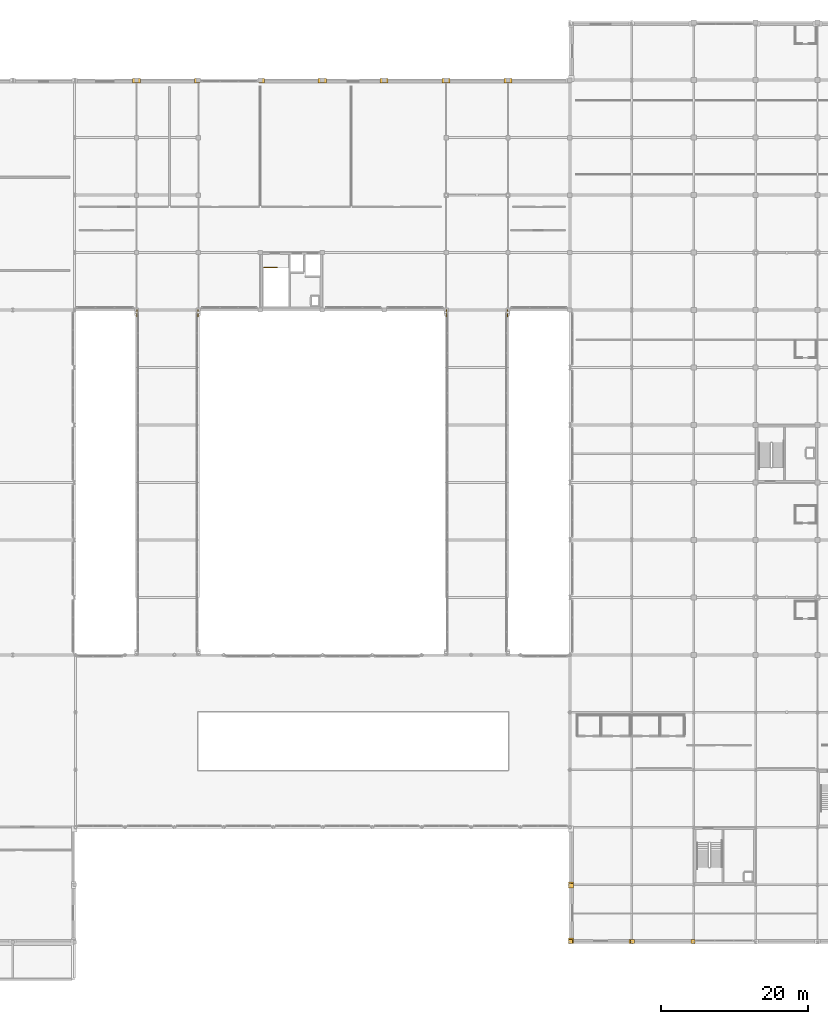
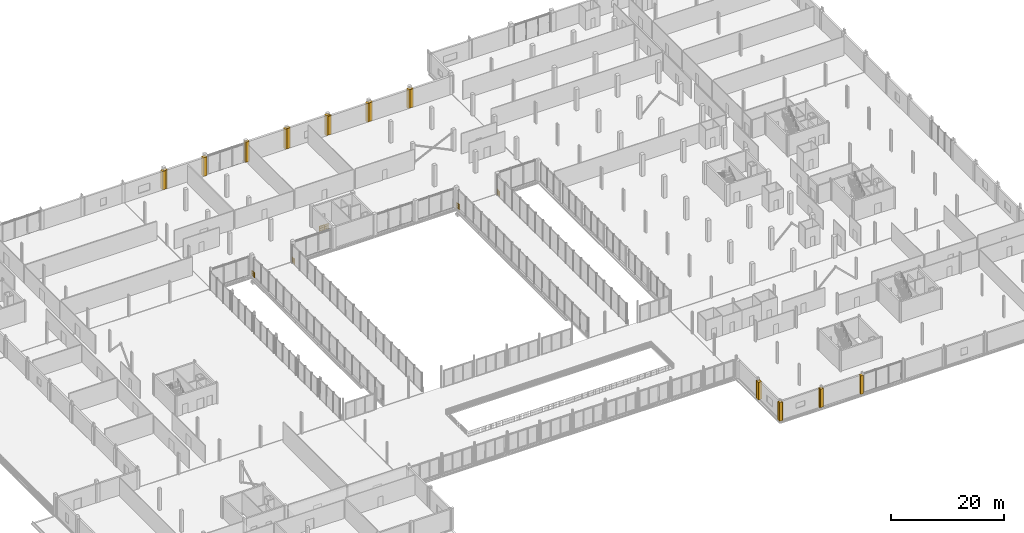
# One storey, part 94 of 98: 19 coverings, 5 railings.
"""IFC4 building model written with IfcOpenShell, lengths in metres."""

from ifc_helpers import new_model, si_unit, direction, frame, origin, origin_2d, place, context, subcontext, project, spatial, polyline, circle, outline, extrude, material, layer, layer_set, type_object, element, save


model = new_model("IFC4")

# Units and contexts
model_context = context("Model", 3, precision=1e-05, world=origin(), true_north=direction((0.0, 1.0)))
body_context = subcontext(model_context, "Body", "Model", "MODEL_VIEW")
ifc_project = project(units=[si_unit("LENGTHUNIT", "METRE"), si_unit("AREAUNIT", "SQUARE_METRE"), si_unit("VOLUMEUNIT", "CUBIC_METRE"), si_unit("PLANEANGLEUNIT", "RADIAN"), si_unit("MASSUNIT", "GRAM", prefix="KILO")], contexts=[model_context])

# Site, building, storey
site_placement = place(None, origin())
site = spatial("IfcSite", under=ifc_project, at=site_placement, CompositionType="ELEMENT")
building_placement = place(site_placement, origin())
building = spatial("IfcBuilding", under=site, at=building_placement, Name="Nabrawat Pavilion Hospital", CompositionType="ELEMENT")
storey_placement = place(building_placement, frame((0.0, 0.0, 10.199951171875)))
storey = spatial("IfcBuildingStorey", under=building, at=storey_placement, Name="L02", CompositionType="ELEMENT", Elevation=10.199951171875)

# Coverings
ifc_material_1 = material(Name="Precast concrete C40/50", Category="concrete")
ifc_layer_1 = layer(ifc_material_1, 0.360107421875, Name="Precast concrete C40/50")
ifc_layer_set_1 = layer_set([ifc_layer_1], Name="Precast concrete C40/50")
covering_type = type_object("IfcCoveringType", Name="Architectural Precast Column-Jamb Closure Reveal", PredefinedType="CLADDING", material=ifc_layer_set_1)
covering_1_placement = place(storey_placement, origin())
element("IfcCovering", 1, at=covering_1_placement, inside=storey, type_object=covering_type, Name="L02 Precast Facade Column-Jamb Weatherseal Closure 0356", PredefinedType="CLADDING", context=body_context, shape_type="SweptSolid", body=[
    extrude(outline(polyline([(67.39501953125, 116.5849609375), (67.39501953125, 117.195068359375), (66.655029296875, 117.195068359375), (66.655029296875, 116.5849609375), (67.39501953125, 116.5849609375)])), origin(), (0.0, 0.0, 1.0), 4.010009765625),
])
covering_2_placement = place(storey_placement, origin())
element("IfcCovering", 2, at=covering_2_placement, inside=storey, type_object=covering_type, Name="L02 Precast Facade Column-Jamb Weatherseal Closure 0357", PredefinedType="CLADDING", context=body_context, shape_type="SweptSolid", body=[
    extrude(outline(polyline([(67.7451171875, 116.5849609375), (67.7451171875, 117.195068359375), (67.0048828125, 117.195068359375), (67.0048828125, 116.5849609375), (67.7451171875, 116.5849609375)])), origin(), (0.0, 0.0, 1.0), 4.0400390625),
])
covering_3_placement = place(storey_placement, origin())
element("IfcCovering", 3, at=covering_3_placement, inside=storey, type_object=covering_type, Name="L02 Precast Facade Column-Jamb Weatherseal Closure 0358", PredefinedType="CLADDING", context=body_context, shape_type="SweptSolid", body=[
    extrude(outline(polyline([(75.794921875, 116.5849609375), (75.794921875, 117.195068359375), (75.054931640625, 117.195068359375), (75.054931640625, 116.5849609375), (75.794921875, 116.5849609375)])), origin(), (0.0, 0.0, 1.0), 4.0400390625),
])
covering_4_placement = place(storey_placement, origin())
element("IfcCovering", 4, at=covering_4_placement, inside=storey, type_object=covering_type, Name="L02 Precast Facade Column-Jamb Weatherseal Closure 0359", PredefinedType="CLADDING", context=body_context, shape_type="SweptSolid", body=[
    extrude(outline(polyline([(84.544921875, 116.5849609375), (84.544921875, 117.195068359375), (83.804931640625, 117.195068359375), (83.804931640625, 116.5849609375), (84.544921875, 116.5849609375)])), origin(), (0.0, 0.0, 1.0), 4.3701171875),
])
covering_5_placement = place(storey_placement, origin())
element("IfcCovering", 5, at=covering_5_placement, inside=storey, type_object=covering_type, Name="L02 Precast Facade Column-Jamb Weatherseal Closure 0360", PredefinedType="CLADDING", context=body_context, shape_type="SweptSolid", body=[
    extrude(outline(polyline([(92.594970703125, 116.5849609375), (92.594970703125, 117.195068359375), (91.85498046875, 117.195068359375), (91.85498046875, 116.5849609375), (92.594970703125, 116.5849609375)])), origin(), (0.0, 0.0, 1.0), 4.3701171875),
])
covering_6_placement = place(storey_placement, origin())
element("IfcCovering", 6, at=covering_6_placement, inside=storey, type_object=covering_type, Name="L02 Precast Facade Column-Jamb Weatherseal Closure 0361", PredefinedType="CLADDING", context=body_context, shape_type="SweptSolid", body=[
    extrude(outline(polyline([(92.945068359375, 116.5849609375), (92.945068359375, 117.195068359375), (92.205078125, 117.195068359375), (92.205078125, 116.5849609375), (92.945068359375, 116.5849609375)])), origin(), (0.0, 0.0, 1.0), 4.3701171875),
])
covering_7_placement = place(storey_placement, origin())
element("IfcCovering", 7, at=covering_7_placement, inside=storey, type_object=covering_type, Name="L02 Precast Facade Column-Jamb Weatherseal Closure 0362", PredefinedType="CLADDING", context=body_context, shape_type="SweptSolid", body=[
    extrude(outline(polyline([(100.9951171875, 116.5849609375), (100.9951171875, 117.195068359375), (100.2548828125, 117.195068359375), (100.2548828125, 116.5849609375), (100.9951171875, 116.5849609375)])), origin(), (0.0, 0.0, 1.0), 4.3701171875),
])
covering_8_placement = place(storey_placement, origin())
element("IfcCovering", 8, at=covering_8_placement, inside=storey, type_object=covering_type, Name="L02 Precast Facade Column-Jamb Weatherseal Closure 0363", PredefinedType="CLADDING", context=body_context, shape_type="SweptSolid", body=[
    extrude(outline(polyline([(101.344970703125, 116.5849609375), (101.344970703125, 117.195068359375), (100.60498046875, 117.195068359375), (100.60498046875, 116.5849609375), (101.344970703125, 116.5849609375)])), origin(), (0.0, 0.0, 1.0), 4.0400390625),
])
covering_9_placement = place(storey_placement, origin())
element("IfcCovering", 9, at=covering_9_placement, inside=storey, type_object=covering_type, Name="L02 Precast Facade Column-Jamb Weatherseal Closure 0364", PredefinedType="CLADDING", context=body_context, shape_type="SweptSolid", body=[
    extrude(outline(polyline([(109.39501953125, 116.5849609375), (109.39501953125, 117.195068359375), (108.655029296875, 117.195068359375), (108.655029296875, 116.5849609375), (109.39501953125, 116.5849609375)])), origin(), (0.0, 0.0, 1.0), 4.0400390625),
])
covering_10_placement = place(storey_placement, origin())
element("IfcCovering", 10, at=covering_10_placement, inside=storey, type_object=covering_type, Name="L02 Precast Facade Column-Jamb Weatherseal Closure 0365", PredefinedType="CLADDING", context=body_context, shape_type="SweptSolid", body=[
    extrude(outline(polyline([(109.7451171875, 116.5849609375), (109.7451171875, 117.195068359375), (109.0048828125, 117.195068359375), (109.0048828125, 116.5849609375), (109.7451171875, 116.5849609375)])), origin(), (0.0, 0.0, 1.0), 4.0400390625),
])
covering_11_placement = place(storey_placement, origin())
element("IfcCovering", 11, at=covering_11_placement, inside=storey, type_object=covering_type, Name="L02 Precast Facade Column-Jamb Weatherseal Closure 0366", PredefinedType="CLADDING", context=body_context, shape_type="SweptSolid", body=[
    extrude(outline(polyline([(117.794921875, 116.5849609375), (117.794921875, 117.195068359375), (117.054931640625, 117.195068359375), (117.054931640625, 116.5849609375), (117.794921875, 116.5849609375)])), origin(), (0.0, 0.0, 1.0), 4.0400390625),
])
covering_12_placement = place(storey_placement, origin())
element("IfcCovering", 12, at=covering_12_placement, inside=storey, type_object=covering_type, Name="L02 Precast Facade Column-Jamb Weatherseal Closure 0367", PredefinedType="CLADDING", context=body_context, shape_type="SweptSolid", body=[
    extrude(outline(polyline([(118.14501953125, 116.5849609375), (118.14501953125, 117.195068359375), (117.405029296875, 117.195068359375), (117.405029296875, 116.5849609375), (118.14501953125, 116.5849609375)])), origin(), (0.0, 0.0, 1.0), 3.989990234375),
])
covering_13_placement = place(storey_placement, origin())
element("IfcCovering", 13, at=covering_13_placement, inside=storey, type_object=covering_type, Name="L02 Precast Facade Column-Jamb Weatherseal Closure 0369", PredefinedType="CLADDING", context=body_context, shape_type="SweptSolid", body=[
    extrude(outline(polyline([(126.52001953125, -0.179931640625), (126.52001953125, 0.6201171875), (125.820068359375, 0.6201171875), (125.820068359375, -0.179931640625), (126.52001953125, -0.179931640625)])), origin(), (0.0, 0.0, 1.0), 3.800048828125),
])
covering_14_placement = place(storey_placement, origin())
element("IfcCovering", 14, at=covering_14_placement, inside=storey, type_object=covering_type, Name="L02 Precast Facade Column-Jamb Weatherseal Closure 0370", PredefinedType="CLADDING", context=body_context, shape_type="SweptSolid", body=[
    extrude(outline(polyline([(126.52001953125, 7.389892578125), (126.52001953125, 7.97998046875), (125.820068359375, 7.97998046875), (125.820068359375, 7.389892578125), (126.52001953125, 7.389892578125)])), origin(), (0.0, 0.0, 1.0), 3.800048828125),
])
covering_15_placement = place(storey_placement, origin())
element("IfcCovering", 15, at=covering_15_placement, inside=storey, type_object=covering_type, Name="L02 Precast Facade Column-Jamb Weatherseal Closure 0371", PredefinedType="CLADDING", context=body_context, shape_type="SweptSolid", body=[
    extrude(outline(polyline([(126.52001953125, 7.6201171875), (126.52001953125, 8.2099609375), (125.820068359375, 8.2099609375), (125.820068359375, 7.6201171875), (126.52001953125, 7.6201171875)])), origin(), (0.0, 0.0, 1.0), 3.800048828125),
])
covering_16_placement = place(storey_placement, origin())
element("IfcCovering", 16, at=covering_16_placement, inside=storey, type_object=covering_type, Name="L02 Precast Facade Column-Jamb Weatherseal Closure 0373", PredefinedType="CLADDING", context=body_context, shape_type="SweptSolid", body=[
    extrude(outline(polyline([(126.3798828125, -0.179931640625), (126.3798828125, 0.39990234375), (125.820068359375, 0.39990234375), (125.820068359375, -0.179931640625), (126.3798828125, -0.179931640625)])), origin(), (0.0, 0.0, 1.0), 4.0),
])
covering_17_placement = place(storey_placement, origin())
element("IfcCovering", 17, at=covering_17_placement, inside=storey, type_object=covering_type, Name="L02 Precast Facade Column-Jamb Weatherseal Closure 0374", PredefinedType="CLADDING", context=body_context, shape_type="SweptSolid", body=[
    extrude(outline(polyline([(134.580078125, -0.179931640625), (134.580078125, 0.39990234375), (134.02001953125, 0.39990234375), (134.02001953125, -0.179931640625), (134.580078125, -0.179931640625)])), origin(), (0.0, 0.0, 1.0), 4.0),
])
covering_18_placement = place(storey_placement, origin())
element("IfcCovering", 18, at=covering_18_placement, inside=storey, type_object=covering_type, Name="L02 Precast Facade Column-Jamb Weatherseal Closure 0375", PredefinedType="CLADDING", context=body_context, shape_type="SweptSolid", body=[
    extrude(outline(polyline([(134.780029296875, -0.179931640625), (134.780029296875, 0.39990234375), (134.219970703125, 0.39990234375), (134.219970703125, -0.179931640625), (134.780029296875, -0.179931640625)])), origin(), (0.0, 0.0, 1.0), 4.0),
])
covering_19_placement = place(storey_placement, origin())
element("IfcCovering", 19, at=covering_19_placement, inside=storey, type_object=covering_type, Name="L02 Precast Facade Column-Jamb Weatherseal Closure 0376", PredefinedType="CLADDING", context=body_context, shape_type="SweptSolid", body=[
    extrude(outline(polyline([(142.97998046875, -0.179931640625), (142.97998046875, 0.39990234375), (142.419921875, 0.39990234375), (142.419921875, -0.179931640625), (142.97998046875, -0.179931640625)])), origin(), (0.0, 0.0, 1.0), 4.0),
])

# Railings
ifc_material_2 = material(Name="Stainless Steel 316", Category="steel")
ifc_layer_2 = layer(ifc_material_2, 0.070068359375, Name="Stainless Steel 316")
ifc_layer_set_2 = layer_set([ifc_layer_2], Name="Stainless Steel 316")
railing_type_1 = type_object("IfcRailingType", Name="Exterior Clinical Terrace Safety Guardrail 1100", PredefinedType="GUARDRAIL", material=ifc_layer_set_2)
for number, where, name in (
    (20, (67.260009765625, 84.89990234375, 0.0), "L02 Courtyard Seismic Joint Corner Guardrail 06"),
    (21, (75.5400390625, 84.89990234375, 0.0), "L02 Courtyard Seismic Joint Corner Guardrail 07"),
    (22, (109.260009765625, 84.89990234375, 0.0), "L02 Courtyard Seismic Joint Corner Guardrail 08"),
    (23, (117.5400390625, 84.89990234375, 0.0), "L02 Courtyard Seismic Joint Corner Guardrail 09"),
):
    element("IfcRailing", number, at=place(storey_placement, frame(where)), inside=storey, type_object=railing_type_1, Name=name, PredefinedType="GUARDRAIL", context=body_context, shape_type="SweptSolid", body=[
        extrude(circle(Radius=0.02392578125, at=origin_2d()), frame((0.0, 0.0, 1.09619140625), z_axis=(0.0, 1.0, 0.0), x_axis=(-1.0, 0.0, 0.0)), (0.0, 0.0, 1.0), 0.900146484375),
        extrude(circle(Radius=0.02392578125, at=origin_2d()), frame((0.0, 0.0, 0.10009765625), z_axis=(0.0, 1.0, 0.0), x_axis=(-1.0, 0.0, 0.0)), (0.0, 0.0, 1.0), 0.900146484375),
        extrude(circle(Radius=0.02392578125, at=origin_2d()), frame((0.0, 0.0, 0.615966796875), z_axis=(0.0, 1.0, 0.0), x_axis=(-1.0, 0.0, 0.0)), (0.0, 0.0, 1.0), 0.900146484375),
        extrude(circle(Radius=0.008056640625, at=origin_2d()), frame((0.0, 0.22509765625, 0.10009765625)), (0.0, 0.0, 1.0), 0.971923828125),
        extrude(circle(Radius=0.008056640625, at=origin_2d()), frame((0.0, 0.4501953125, 0.10009765625)), (0.0, 0.0, 1.0), 0.971923828125),
        extrude(circle(Radius=0.008056640625, at=origin_2d()), frame((0.0, 0.675048828125, 0.10009765625)), (0.0, 0.0, 1.0), 0.971923828125),
        extrude(circle(Radius=0.02099609375, at=origin_2d()), origin(), (0.0, 0.0, 1.0), 1.072021484375),
        extrude(circle(Radius=0.02099609375, at=origin_2d()), frame((0.0, 0.900146484375, 0.0)), (0.0, 0.0, 1.0), 1.072021484375),
    ])
ifc_layer_3 = layer(ifc_material_2, 0.050048828125, Name="Stainless Steel 316")
ifc_layer_set_3 = layer_set([ifc_layer_3], Name="Stainless Steel 316")
railing_type_2 = type_object("IfcRailingType", Name="Stair Open-Well Safety Guardrail 1100", PredefinedType="GUARDRAIL", material=ifc_layer_set_3)
railing_placement = place(storey_placement, frame((84.449951171875, 91.580078125, 0.0)))
element("IfcRailing", 24, at=railing_placement, inside=storey, type_object=railing_type_2, Name="L02 ST-03 top well guard 1", PredefinedType="GUARDRAIL", context=body_context, shape_type="SweptSolid", body=[
    extrude(circle(Radius=0.02392578125, at=origin_2d()), frame((0.0, 0.0, 1.076171875), z_axis=(1.0, 0.0, 0.0), x_axis=(0.0, 1.0, 0.0)), (0.0, 0.0, 1.0), 1.800048828125),
    extrude(circle(Radius=0.02392578125, at=origin_2d()), frame((0.0, 0.0, 0.10009765625), z_axis=(1.0, 0.0, 0.0), x_axis=(0.0, 1.0, 0.0)), (0.0, 0.0, 1.0), 1.800048828125),
    extrude(circle(Radius=0.02392578125, at=origin_2d()), frame((0.0, 0.0, 0.60498046875), z_axis=(1.0, 0.0, 0.0), x_axis=(0.0, 1.0, 0.0)), (0.0, 0.0, 1.0), 1.800048828125),
    extrude(circle(Radius=0.008056640625, at=origin_2d()), frame((0.22509765625, 0.0, 0.10009765625)), (0.0, 0.0, 1.0), 0.951904296875),
    extrude(circle(Radius=0.008056640625, at=origin_2d()), frame((0.449951171875, 0.0, 0.10009765625)), (0.0, 0.0, 1.0), 0.951904296875),
    extrude(circle(Radius=0.008056640625, at=origin_2d()), frame((0.675048828125, 0.0, 0.10009765625)), (0.0, 0.0, 1.0), 0.951904296875),
    extrude(circle(Radius=0.008056640625, at=origin_2d()), frame((1.125, 0.0, 0.10009765625)), (0.0, 0.0, 1.0), 0.951904296875),
    extrude(circle(Radius=0.008056640625, at=origin_2d()), frame((1.35009765625, 0.0, 0.10009765625)), (0.0, 0.0, 1.0), 0.951904296875),
    extrude(circle(Radius=0.008056640625, at=origin_2d()), frame((1.574951171875, 0.0, 0.10009765625)), (0.0, 0.0, 1.0), 0.951904296875),
    extrude(circle(Radius=0.02099609375, at=origin_2d()), origin(), (0.0, 0.0, 1.0), 1.052001953125),
    extrude(circle(Radius=0.02099609375, at=origin_2d()), frame((0.89990234375, 0.0, 0.0)), (0.0, 0.0, 1.0), 1.052001953125),
    extrude(circle(Radius=0.02099609375, at=origin_2d()), frame((1.800048828125, 0.0, 0.0)), (0.0, 0.0, 1.0), 1.052001953125),
])

save(model, "model.ifc")
